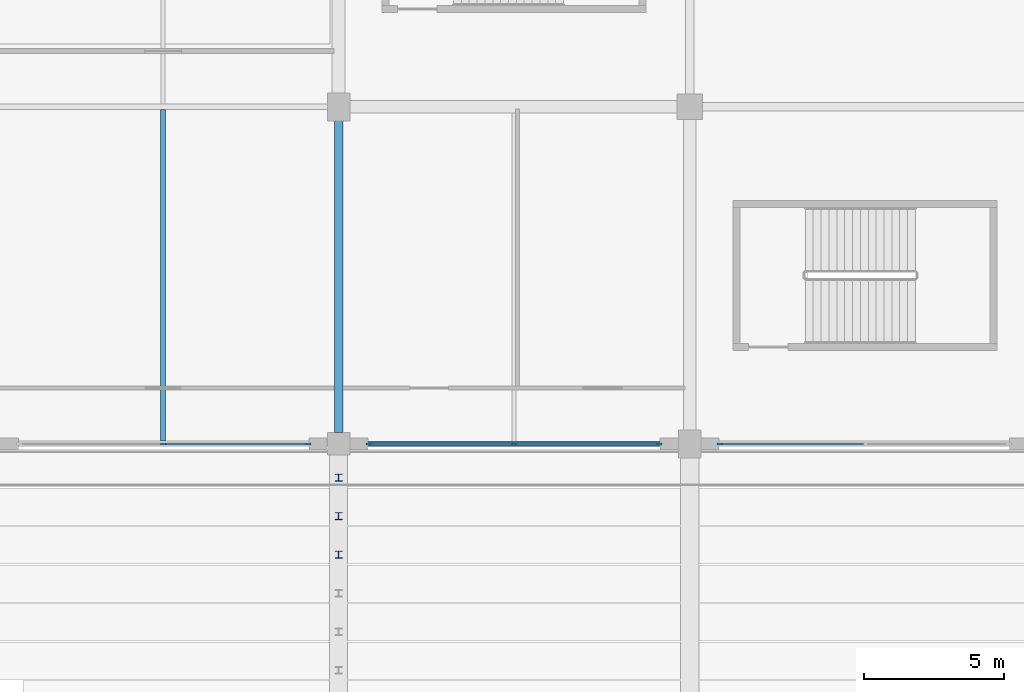
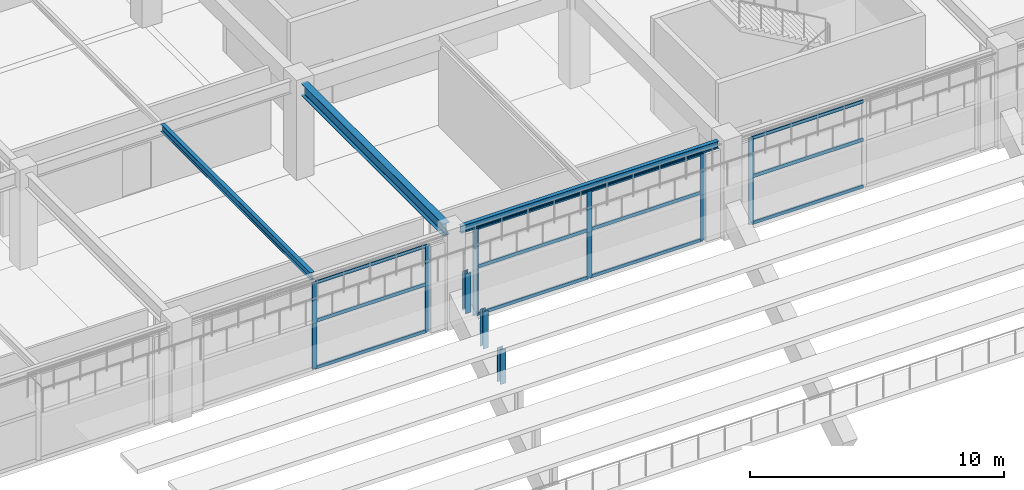
# One storey, part 55 of 134: 21 members, 3 beams, 3 elements without a shape of their own.
"""IFC4 building model written with IfcOpenShell, lengths in metres."""

from ifc_helpers import new_model, si_unit, direction, frame, origin, origin_2d, place, context, subcontext, project, spatial, rectangle, i_section, extrude, material, layer, layer_set, material_profile, profile_set, type_object, element, aggregate, save


model = new_model("IFC4")

# Units and contexts
model_context = context("Model", 3, precision=1e-05, world=origin(), true_north=direction((0.0, 1.0)))
body_context = subcontext(model_context, "Body", "Model", "MODEL_VIEW")
ifc_project = project(units=[si_unit("LENGTHUNIT", "METRE"), si_unit("AREAUNIT", "SQUARE_METRE"), si_unit("VOLUMEUNIT", "CUBIC_METRE"), si_unit("PLANEANGLEUNIT", "RADIAN"), si_unit("MASSUNIT", "GRAM", prefix="KILO")], contexts=[model_context])

# Site, building, storey
site_placement = place(None, origin())
site = spatial("IfcSite", under=ifc_project, at=site_placement, CompositionType="ELEMENT")
building_placement = place(site_placement, origin())
building = spatial("IfcBuilding", under=site, at=building_placement, Name="Kazenohara Klinker Stadium", CompositionType="ELEMENT")
storey_placement = place(building_placement, frame((0.0, 0.0, 5.39990234375)))
storey = spatial("IfcBuildingStorey", under=building, at=storey_placement, Name="L01", CompositionType="ELEMENT", Elevation=5.39990234375)

# Beams
ifc_material_1 = material(Name="Steel S355", Category="steel")
ifc_material_profile_1 = material_profile(ifc_material_1, i_section(OverallWidth=0.175048828125, OverallDepth=0.35009765625, WebThickness=0.007080078125, FlangeThickness=0.010986328125, FilletRadius=0.012939453125, at=origin_2d()), Name="H-350x175x7x11")
ifc_profile_set_1 = profile_set([ifc_material_profile_1], Name="Steel S355")
beam_type_1 = type_object("IfcBeamType", Name="BM-JST04", PredefinedType="JOIST", material=ifc_profile_set_1)
beam_1_placement = place(storey_placement, frame((67.75, 132.10009765625, 4.375), z_axis=(0.0, 1.0, 0.0), x_axis=(-1.0, 0.0, 0.0)))
element("IfcBeam", 1, at=beam_1_placement, inside=storey, type_object=beam_type_1, Name="Secondary floor joist SJ04 L01 6/M", PredefinedType="JOIST", context=body_context, shape_type="SweptSolid", body=[
    extrude(i_section(OverallWidth=0.175048828125, OverallDepth=0.35009765625, WebThickness=0.007080078125, FlangeThickness=0.010986328125, FilletRadius=0.012939453125, at=origin_2d()), origin(), (0.0, 0.0, 1.0), 11.7998046875),
])
ifc_material_profile_2 = material_profile(ifc_material_1, i_section(OverallWidth=0.175048828125, OverallDepth=0.35009765625, WebThickness=0.007080078125, FlangeThickness=0.010986328125, FilletRadius=0.012939453125, at=origin_2d()), Name="H-350x175x7x11")
ifc_profile_set_2 = profile_set([ifc_material_profile_2], Name="Steel S355")
beam_type_2 = type_object("IfcBeamType", Name="BM-SPD02", PredefinedType="SPANDREL", material=ifc_profile_set_2)
beam_2_placement = place(storey_placement, frame((74.39990234375, 132.0, 4.375), z_axis=(1.0, 0.0, 0.0), x_axis=(0.0, 1.0, 0.0)))
element("IfcBeam", 2, at=beam_2_placement, inside=storey, type_object=beam_type_2, Name="Primary girder SP02 L01 7-8/M", PredefinedType="SPANDREL", context=body_context, shape_type="SweptSolid", body=[
    extrude(i_section(OverallWidth=0.175048828125, OverallDepth=0.35009765625, WebThickness=0.007080078125, FlangeThickness=0.010986328125, FilletRadius=0.012939453125, at=origin_2d()), origin(), (0.0, 0.0, 1.0), 11.7001953125),
])
ifc_material_profile_3 = material_profile(ifc_material_1, i_section(OverallWidth=0.300048828125, OverallDepth=0.587890625, WebThickness=0.011962890625, FlangeThickness=0.02001953125, FilletRadius=0.02197265625, at=origin_2d()), Name="H-588x300x12x20")
ifc_profile_set_3 = profile_set([ifc_material_profile_3], Name="Steel S355")
beam_type_3 = type_object("IfcBeamType", Name="BM-ST05", PredefinedType="BEAM", material=ifc_profile_set_3)
beam_3_placement = place(storey_placement, frame((74.0, 132.39990234375, 4.256103515625), z_axis=(0.0, 1.0, 0.0), x_axis=(-1.0, 0.0, 0.0)))
element("IfcBeam", 3, at=beam_3_placement, inside=storey, type_object=beam_type_3, Name="Primary girder SB05 L01 7/M-N", PredefinedType="BEAM", context=body_context, shape_type="SweptSolid", body=[
    extrude(i_section(OverallWidth=0.300048828125, OverallDepth=0.587890625, WebThickness=0.011962890625, FlangeThickness=0.02001953125, FilletRadius=0.02197265625, at=origin_2d()), origin(), (0.0, 0.0, 1.0), 11.18017578125),
])

# Curtain wall, members
ifc_material_2 = material(Name="Anodised aluminium and triple glazing", Category="aluminium")
ifc_layer_1 = layer(ifc_material_2, 0.159912109375)
ifc_layer_set_1 = layer_set([ifc_layer_1], Name="Anodised aluminium and triple glazing")
curtain_wall_type_1 = type_object("IfcCurtainWallType", Name="CW-SYS-01", PredefinedType="USERDEFINED", material=ifc_layer_set_1)
curtain_wall_1_placement = place(storey_placement, origin())
curtain_wall_1 = element("IfcCurtainWall", 4, at=curtain_wall_1_placement, inside=storey, type_object=curtain_wall_type_1, Name="Unitised facade curtain wall CW01 L01 X5-11", ObjectType="UNITISED CURTAIN WALL", PredefinedType="USERDEFINED")
ifc_material_3 = material(Name="Anodised aluminium 6063-T6", Category="aluminium")
ifc_material_profile_4 = material_profile(ifc_material_3, rectangle(XDim=0.074951171875, YDim=0.219970703125, at=origin_2d()), Name="ALU-MUL-75x220")
ifc_profile_set_4 = profile_set([ifc_material_profile_4], Name="Anodised aluminium 6063-T6")
member_type_1 = type_object("IfcMemberType", Name="CW-MUL-220", PredefinedType="MULLION", material=ifc_profile_set_4)
member_1_placement = place(storey_placement, frame((67.77490234375, 132.0, 0.0), z_axis=(0.0, 0.0, 1.0), x_axis=(0.0, 1.0, 0.0)))
member_1 = element("IfcMember", 5, at=member_1_placement, type_object=member_type_1, Name="CW01 mullion 2", PredefinedType="MULLION", context=body_context, shape_type="SweptSolid", body=[
    extrude(rectangle(XDim=0.074951171875, YDim=0.219970703125, at=origin_2d()), origin(), (0.0, 0.0, 1.0), 4.150146484375),
])
member_2_placement = place(storey_placement, frame((72.908447265625, 132.0, 0.0), z_axis=(0.0, 0.0, 1.0), x_axis=(0.0, 1.0, 0.0)))
member_2 = element("IfcMember", 6, at=member_2_placement, type_object=member_type_1, Name="CW01 mullion 3", PredefinedType="MULLION", context=body_context, shape_type="SweptSolid", body=[
    extrude(rectangle(XDim=0.074951171875, YDim=0.219970703125, at=origin_2d()), origin(), (0.0, 0.0, 1.0), 4.150146484375),
])

ifc_layer_2 = layer(ifc_material_2, 0.199951171875)
ifc_layer_set_2 = layer_set([ifc_layer_2], Name="Anodised aluminium and triple glazing")
curtain_wall_type_2 = type_object("IfcCurtainWallType", Name="CW-SYS-03", PredefinedType="USERDEFINED", material=ifc_layer_set_2)
curtain_wall_2_placement = place(storey_placement, origin())
curtain_wall_2 = element("IfcCurtainWall", 7, at=curtain_wall_2_placement, inside=storey, type_object=curtain_wall_type_2, Name="Unitised facade curtain wall CW03 L01 X6-11", ObjectType="UNITISED CURTAIN WALL", PredefinedType="USERDEFINED")
member_3_placement = place(storey_placement, frame((75.091552734375, 132.0, 0.0), z_axis=(0.0, 0.0, 1.0), x_axis=(0.0, 1.0, 0.0)))
member_3 = element("IfcMember", 8, at=member_3_placement, type_object=member_type_1, Name="CW03 mullion 1", PredefinedType="MULLION", context=body_context, shape_type="SweptSolid", body=[
    extrude(rectangle(XDim=0.074951171875, YDim=0.219970703125, at=origin_2d()), origin(), (0.0, 0.0, 1.0), 4.2001953125),
])
member_4_placement = place(storey_placement, frame((80.25, 132.0, 0.0), z_axis=(0.0, 0.0, 1.0), x_axis=(0.0, 1.0, 0.0)))
member_4 = element("IfcMember", 9, at=member_4_placement, type_object=member_type_1, Name="CW03 mullion 2", PredefinedType="MULLION", context=body_context, shape_type="SweptSolid", body=[
    extrude(rectangle(XDim=0.074951171875, YDim=0.219970703125, at=origin_2d()), origin(), (0.0, 0.0, 1.0), 4.2001953125),
])
member_5_placement = place(storey_placement, frame((85.408447265625, 132.0, 0.0), z_axis=(0.0, 0.0, 1.0), x_axis=(0.0, 1.0, 0.0)))
member_5 = element("IfcMember", 10, at=member_5_placement, type_object=member_type_1, Name="CW03 mullion 3", PredefinedType="MULLION", context=body_context, shape_type="SweptSolid", body=[
    extrude(rectangle(XDim=0.074951171875, YDim=0.219970703125, at=origin_2d()), origin(), (0.0, 0.0, 1.0), 4.2001953125),
])

# Curtain wall, member
ifc_layer_3 = layer(ifc_material_2, 0.18994140625)
ifc_layer_set_3 = layer_set([ifc_layer_3], Name="Anodised aluminium and triple glazing")
curtain_wall_type_3 = type_object("IfcCurtainWallType", Name="CW-SYS-05", PredefinedType="USERDEFINED", material=ifc_layer_set_3)
curtain_wall_3_placement = place(storey_placement, origin())
curtain_wall_3 = element("IfcCurtainWall", 11, at=curtain_wall_3_placement, inside=storey, type_object=curtain_wall_type_3, Name="Unitised facade curtain wall CW05 L01 X7-11", ObjectType="UNITISED CURTAIN WALL", PredefinedType="USERDEFINED")
member_6_placement = place(storey_placement, frame((87.591552734375, 132.0, 0.0), z_axis=(0.0, 0.0, 1.0), x_axis=(0.0, 1.0, 0.0)))
member_6 = element("IfcMember", 12, at=member_6_placement, type_object=member_type_1, Name="CW05 mullion 1", PredefinedType="MULLION", context=body_context, shape_type="SweptSolid", body=[
    extrude(rectangle(XDim=0.074951171875, YDim=0.219970703125, at=origin_2d()), origin(), (0.0, 0.0, 1.0), 4.150146484375),
])

# Member
ifc_material_profile_5 = material_profile(ifc_material_3, rectangle(XDim=0.074951171875, YDim=0.159912109375, at=origin_2d()), Name="ALU-TRN-75x160")
ifc_profile_set_5 = profile_set([ifc_material_profile_5], Name="Anodised aluminium 6063-T6")
member_type_2 = type_object("IfcMemberType", Name="CW-TRN-160", PredefinedType="USERDEFINED", material=ifc_profile_set_5)
member_7_placement = place(storey_placement, frame((67.8125, 132.0, 0.03759765625), z_axis=(1.0, 0.0, 0.0), x_axis=(0.0, 1.0, 0.0)))
member_7 = element("IfcMember", 13, at=member_7_placement, type_object=member_type_2, Name="CW01 transom 2.1", ObjectType="TRANSOM", PredefinedType="USERDEFINED", context=body_context, shape_type="SweptSolid", body=[
    extrude(rectangle(XDim=0.074951171875, YDim=0.159912109375, at=origin_2d()), origin(), (0.0, 0.0, 1.0), 5.05859375),
])

member_8_placement = place(storey_placement, frame((67.8125, 132.0, 2.28271484375), z_axis=(1.0, 0.0, 0.0), x_axis=(0.0, 1.0, 0.0)))
member_8 = element("IfcMember", 14, at=member_8_placement, type_object=member_type_2, Name="CW01 transom 2.2", ObjectType="TRANSOM", PredefinedType="USERDEFINED", context=body_context, shape_type="SweptSolid", body=[
    extrude(rectangle(XDim=0.074951171875, YDim=0.159912109375, at=origin_2d()), origin(), (0.0, 0.0, 1.0), 5.05859375),
])

member_9_placement = place(storey_placement, frame((67.8125, 132.0, 4.112548828125), z_axis=(1.0, 0.0, 0.0), x_axis=(0.0, 1.0, 0.0)))
member_9 = element("IfcMember", 15, at=member_9_placement, type_object=member_type_2, Name="CW01 transom 2.3", ObjectType="TRANSOM", PredefinedType="USERDEFINED", context=body_context, shape_type="SweptSolid", body=[
    extrude(rectangle(XDim=0.074951171875, YDim=0.159912109375, at=origin_2d()), origin(), (0.0, 0.0, 1.0), 5.05859375),
])

aggregate(curtain_wall_1, [member_1, member_2, member_7, member_8, member_9])

member_10_placement = place(storey_placement, frame((75.12890625, 132.0, 0.03759765625), z_axis=(1.0, 0.0, 0.0), x_axis=(0.0, 1.0, 0.0)))
member_10 = element("IfcMember", 16, at=member_10_placement, type_object=member_type_2, Name="CW03 transom 1.1", ObjectType="TRANSOM", PredefinedType="USERDEFINED", context=body_context, shape_type="SweptSolid", body=[
    extrude(rectangle(XDim=0.074951171875, YDim=0.159912109375, at=origin_2d()), origin(), (0.0, 0.0, 1.0), 5.08349609375),
])

member_11_placement = place(storey_placement, frame((75.12890625, 132.0, 2.31005859375), z_axis=(1.0, 0.0, 0.0), x_axis=(0.0, 1.0, 0.0)))
member_11 = element("IfcMember", 17, at=member_11_placement, type_object=member_type_2, Name="CW03 transom 1.2", ObjectType="TRANSOM", PredefinedType="USERDEFINED", context=body_context, shape_type="SweptSolid", body=[
    extrude(rectangle(XDim=0.074951171875, YDim=0.159912109375, at=origin_2d()), origin(), (0.0, 0.0, 1.0), 5.08349609375),
])

member_12_placement = place(storey_placement, frame((75.12890625, 132.0, 4.16259765625), z_axis=(1.0, 0.0, 0.0), x_axis=(0.0, 1.0, 0.0)))
member_12 = element("IfcMember", 18, at=member_12_placement, type_object=member_type_2, Name="CW03 transom 1.3", ObjectType="TRANSOM", PredefinedType="USERDEFINED", context=body_context, shape_type="SweptSolid", body=[
    extrude(rectangle(XDim=0.074951171875, YDim=0.159912109375, at=origin_2d()), origin(), (0.0, 0.0, 1.0), 5.08349609375),
])

member_13_placement = place(storey_placement, frame((80.28759765625, 132.0, 0.03759765625), z_axis=(1.0, 0.0, 0.0), x_axis=(0.0, 1.0, 0.0)))
member_13 = element("IfcMember", 19, at=member_13_placement, type_object=member_type_2, Name="CW03 transom 2.1", ObjectType="TRANSOM", PredefinedType="USERDEFINED", context=body_context, shape_type="SweptSolid", body=[
    extrude(rectangle(XDim=0.074951171875, YDim=0.159912109375, at=origin_2d()), origin(), (0.0, 0.0, 1.0), 5.08349609375),
])

member_14_placement = place(storey_placement, frame((80.28759765625, 132.0, 2.31005859375), z_axis=(1.0, 0.0, 0.0), x_axis=(0.0, 1.0, 0.0)))
member_14 = element("IfcMember", 20, at=member_14_placement, type_object=member_type_2, Name="CW03 transom 2.2", ObjectType="TRANSOM", PredefinedType="USERDEFINED", context=body_context, shape_type="SweptSolid", body=[
    extrude(rectangle(XDim=0.074951171875, YDim=0.159912109375, at=origin_2d()), origin(), (0.0, 0.0, 1.0), 5.08349609375),
])

member_15_placement = place(storey_placement, frame((80.28759765625, 132.0, 4.16259765625), z_axis=(1.0, 0.0, 0.0), x_axis=(0.0, 1.0, 0.0)))
member_15 = element("IfcMember", 21, at=member_15_placement, type_object=member_type_2, Name="CW03 transom 2.3", ObjectType="TRANSOM", PredefinedType="USERDEFINED", context=body_context, shape_type="SweptSolid", body=[
    extrude(rectangle(XDim=0.074951171875, YDim=0.159912109375, at=origin_2d()), origin(), (0.0, 0.0, 1.0), 5.08349609375),
])

aggregate(curtain_wall_2, [member_3, member_4, member_5, member_10, member_11, member_12, member_13, member_14, member_15])

member_16_placement = place(storey_placement, frame((87.62890625, 132.0, 0.03759765625), z_axis=(1.0, 0.0, 0.0), x_axis=(0.0, 1.0, 0.0)))
member_16 = element("IfcMember", 22, at=member_16_placement, type_object=member_type_2, Name="CW05 transom 1.1", ObjectType="TRANSOM", PredefinedType="USERDEFINED", context=body_context, shape_type="SweptSolid", body=[
    extrude(rectangle(XDim=0.074951171875, YDim=0.159912109375, at=origin_2d()), origin(), (0.0, 0.0, 1.0), 5.05859375),
])

member_17_placement = place(storey_placement, frame((87.62890625, 132.0, 2.28271484375), z_axis=(1.0, 0.0, 0.0), x_axis=(0.0, 1.0, 0.0)))
member_17 = element("IfcMember", 23, at=member_17_placement, type_object=member_type_2, Name="CW05 transom 1.2", ObjectType="TRANSOM", PredefinedType="USERDEFINED", context=body_context, shape_type="SweptSolid", body=[
    extrude(rectangle(XDim=0.074951171875, YDim=0.159912109375, at=origin_2d()), origin(), (0.0, 0.0, 1.0), 5.05859375),
])

member_18_placement = place(storey_placement, frame((87.62890625, 132.0, 4.112548828125), z_axis=(1.0, 0.0, 0.0), x_axis=(0.0, 1.0, 0.0)))
member_18 = element("IfcMember", 24, at=member_18_placement, type_object=member_type_2, Name="CW05 transom 1.3", ObjectType="TRANSOM", PredefinedType="USERDEFINED", context=body_context, shape_type="SweptSolid", body=[
    extrude(rectangle(XDim=0.074951171875, YDim=0.159912109375, at=origin_2d()), origin(), (0.0, 0.0, 1.0), 5.05859375),
])

aggregate(curtain_wall_3, [member_6, member_16, member_17, member_18])

# Members
ifc_material_profile_6 = material_profile(ifc_material_1, i_section(OverallWidth=0.25, OverallDepth=0.25, WebThickness=0.009033203125, FlangeThickness=0.013916015625, FilletRadius=0.012939453125, at=origin_2d()), Name="H-250x250x9x14")
ifc_profile_set_6 = profile_set([ifc_material_profile_6], Name="Steel S355")
member_type_3 = type_object("IfcMemberType", Name="MEM-STR02", PredefinedType="STRUT", material=ifc_profile_set_6)
member_19_placement = place(storey_placement, frame((74.0, 130.801513671875, 1.2783203125), z_axis=(0.0, 0.0, 1.0), x_axis=(1.0, 0.0, 0.0)))
element("IfcMember", 25, at=member_19_placement, inside=storey, type_object=member_type_3, Name="Precast tier riser stool LOWER-N-01-06", PredefinedType="STRUT", context=body_context, shape_type="SweptSolid", body=[
    extrude(i_section(OverallWidth=0.25, OverallDepth=0.25, WebThickness=0.009033203125, FlangeThickness=0.013916015625, FilletRadius=0.012939453125, at=origin_2d()), origin(), (0.0, 0.0, 1.0), 1.911865234375),
])
member_20_placement = place(storey_placement, frame((74.0, 129.429931640625, 0.407470703125), z_axis=(0.0, 0.0, 1.0), x_axis=(1.0, 0.0, 0.0)))
element("IfcMember", 26, at=member_20_placement, inside=storey, type_object=member_type_3, Name="Precast tier riser stool LOWER-N-02-06", PredefinedType="STRUT", context=body_context, shape_type="SweptSolid", body=[
    extrude(i_section(OverallWidth=0.25, OverallDepth=0.25, WebThickness=0.009033203125, FlangeThickness=0.013916015625, FilletRadius=0.012939453125, at=origin_2d()), origin(), (0.0, 0.0, 1.0), 1.78271484375),
])
member_21_placement = place(storey_placement, frame((74.0, 128.05859375, -0.463134765625), z_axis=(0.0, 0.0, 1.0), x_axis=(1.0, 0.0, 0.0)))
element("IfcMember", 27, at=member_21_placement, inside=storey, type_object=member_type_3, Name="Precast tier riser stool LOWER-N-03-06", PredefinedType="STRUT", context=body_context, shape_type="SweptSolid", body=[
    extrude(i_section(OverallWidth=0.25, OverallDepth=0.25, WebThickness=0.009033203125, FlangeThickness=0.013916015625, FilletRadius=0.012939453125, at=origin_2d()), origin(), (0.0, 0.0, 1.0), 1.6533203125),
])

save(model, "model.ifc")
